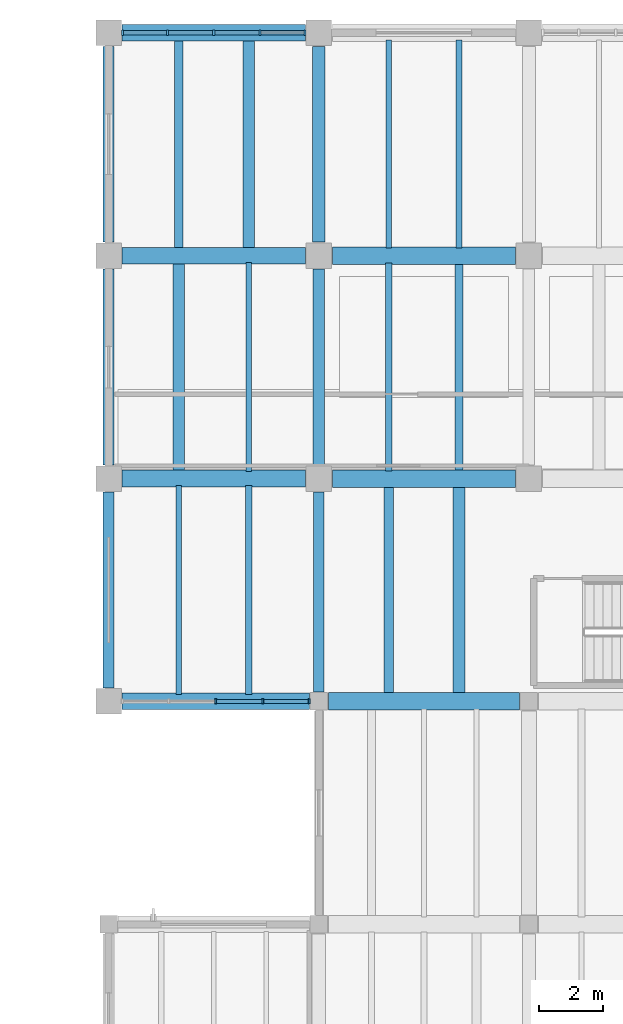
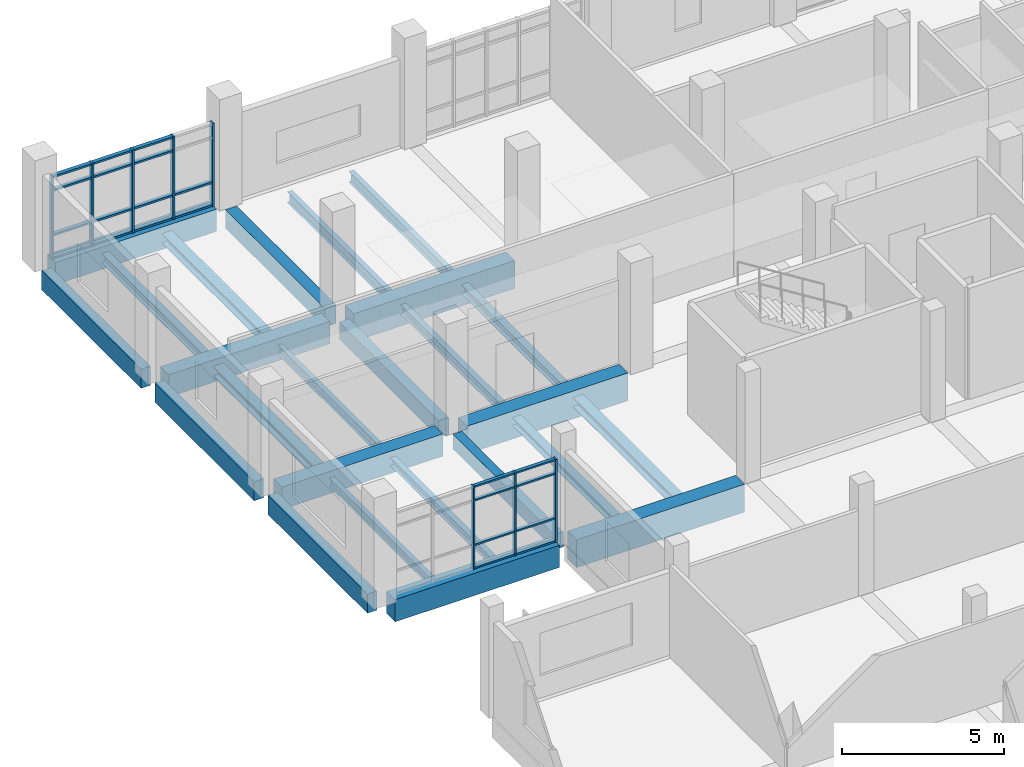
# One storey, part 25 of 67: 30 members, 25 beams, 2 elements without a shape of their own.
"""IFC4 building model written with IfcOpenShell, lengths in metres."""

from ifc_helpers import new_model, si_unit, direction, frame, origin, origin_2d, place, context, subcontext, project, spatial, rectangle, i_section, extrude, material, material_profile, profile_set, type_object, element, aggregate, save


model = new_model("IFC4")

# Units and contexts
model_context = context("Model", 3, precision=1e-05, world=origin(), true_north=direction((0.0, 1.0)))
body_context = subcontext(model_context, "Body", "Model", "MODEL_VIEW")
ifc_project = project(units=[si_unit("LENGTHUNIT", "METRE"), si_unit("AREAUNIT", "SQUARE_METRE"), si_unit("VOLUMEUNIT", "CUBIC_METRE"), si_unit("PLANEANGLEUNIT", "RADIAN"), si_unit("MASSUNIT", "GRAM", prefix="KILO")], contexts=[model_context])

# Site, building, storey
site_placement = place(None, origin())
site = spatial("IfcSite", under=ifc_project, at=site_placement, CompositionType="ELEMENT")
building_placement = place(site_placement, origin())
building = spatial("IfcBuilding", under=site, at=building_placement, Name="Ciguamira Faculty of Natural Sciences", CompositionType="ELEMENT")
storey_placement = place(building_placement, frame((0.0, 0.0, 8.39990234375)))
storey = spatial("IfcBuildingStorey", under=building, at=storey_placement, Name="L02", CompositionType="ELEMENT", Elevation=8.39990234375)

# Curtain wall, members
ifc_material_1 = material(Name="Anodized aluminium curtain wall", Category="aluminium")
curtain_wall_type_1 = type_object("IfcCurtainWallType", Name="CurtainWall_CW-10", PredefinedType="USERDEFINED", material=ifc_material_1)
curtain_wall_1_placement = place(storey_placement, origin())
curtain_wall_1 = element("IfcCurtainWall", 1, at=curtain_wall_1_placement, inside=storey, type_object=curtain_wall_type_1, Name="L02 unitised curtain wall 0070", ObjectType="UNITISED CURTAIN WALL", PredefinedType="USERDEFINED")
ifc_material_2 = material(Name="Anodized aluminium mullion", Category="aluminium")
ifc_material_profile_1 = material_profile(ifc_material_2, rectangle(XDim=0.06005859375, YDim=0.159912109375, at=origin_2d()), Name="ALU-MUL-60X160")
ifc_profile_set_1 = profile_set([ifc_material_profile_1], Name="Anodized aluminium mullion")
member_type_1 = type_object("IfcMemberType", Name="CWMullion_CWM-01", PredefinedType="MULLION", material=ifc_profile_set_1)
member_1_placement = place(storey_placement, frame((60.66259765625, 94.0, 0.0), z_axis=(0.0, 0.0, 1.0), x_axis=(1.0, 0.0, 0.0)))
member_1 = element("IfcMember", 2, at=member_1_placement, type_object=member_type_1, Name="CW-10 mullion 3", PredefinedType="MULLION", context=body_context, shape_type="SweptSolid", body=[
    extrude(rectangle(XDim=0.06005859375, YDim=0.159912109375, at=origin_2d()), origin(), (0.0, 0.0, 1.0), 3.135009765625),
])
member_2_placement = place(storey_placement, frame((62.143798828125, 94.0, 0.0), z_axis=(0.0, 0.0, 1.0), x_axis=(1.0, 0.0, 0.0)))
member_2 = element("IfcMember", 3, at=member_2_placement, type_object=member_type_1, Name="CW-10 mullion 4", PredefinedType="MULLION", context=body_context, shape_type="SweptSolid", body=[
    extrude(rectangle(XDim=0.06005859375, YDim=0.159912109375, at=origin_2d()), origin(), (0.0, 0.0, 1.0), 3.135009765625),
])
member_3_placement = place(storey_placement, frame((63.594970703125, 94.0, 0.0), z_axis=(0.0, 0.0, 1.0), x_axis=(1.0, 0.0, 0.0)))
member_3 = element("IfcMember", 4, at=member_3_placement, type_object=member_type_1, Name="CW-10 mullion 5", PredefinedType="MULLION", context=body_context, shape_type="SweptSolid", body=[
    extrude(rectangle(XDim=0.06005859375, YDim=0.159912109375, at=origin_2d()), origin(), (0.0, 0.0, 1.0), 3.135009765625),
])

curtain_wall_type_2 = type_object("IfcCurtainWallType", Name="CurtainWall_CW-11", PredefinedType="USERDEFINED", material=ifc_material_1)
curtain_wall_2_placement = place(storey_placement, origin())
curtain_wall_2 = element("IfcCurtainWall", 5, at=curtain_wall_2_placement, inside=storey, type_object=curtain_wall_type_2, Name="L02 unitised curtain wall 0071", ObjectType="UNITISED CURTAIN WALL", PredefinedType="USERDEFINED")
ifc_material_profile_2 = material_profile(ifc_material_2, rectangle(XDim=0.070068359375, YDim=0.179931640625, at=origin_2d()), Name="ALU-MUL-70X180")
ifc_profile_set_2 = profile_set([ifc_material_profile_2], Name="Anodized aluminium mullion")
member_type_2 = type_object("IfcMemberType", Name="CWMullion_CWM-02", PredefinedType="MULLION", material=ifc_profile_set_2)
member_4_placement = place(storey_placement, frame((57.735107421875, 115.0, 0.0), z_axis=(0.0, 0.0, 1.0), x_axis=(1.0, 0.0, 0.0)))
member_4 = element("IfcMember", 6, at=member_4_placement, type_object=member_type_2, Name="CW-11 mullion 1", PredefinedType="MULLION", context=body_context, shape_type="SweptSolid", body=[
    extrude(rectangle(XDim=0.070068359375, YDim=0.179931640625, at=origin_2d()), origin(), (0.0, 0.0, 1.0), 3.135009765625),
])
member_5_placement = place(storey_placement, frame((59.14990234375, 115.0, 0.0), z_axis=(0.0, 0.0, 1.0), x_axis=(1.0, 0.0, 0.0)))
member_5 = element("IfcMember", 7, at=member_5_placement, type_object=member_type_2, Name="CW-11 mullion 2", PredefinedType="MULLION", context=body_context, shape_type="SweptSolid", body=[
    extrude(rectangle(XDim=0.070068359375, YDim=0.179931640625, at=origin_2d()), origin(), (0.0, 0.0, 1.0), 3.135009765625),
])
member_6_placement = place(storey_placement, frame((60.60009765625, 115.0, 0.0), z_axis=(0.0, 0.0, 1.0), x_axis=(1.0, 0.0, 0.0)))
member_6 = element("IfcMember", 8, at=member_6_placement, type_object=member_type_2, Name="CW-11 mullion 3", PredefinedType="MULLION", context=body_context, shape_type="SweptSolid", body=[
    extrude(rectangle(XDim=0.070068359375, YDim=0.179931640625, at=origin_2d()), origin(), (0.0, 0.0, 1.0), 3.135009765625),
])
member_7_placement = place(storey_placement, frame((62.050048828125, 115.0, 0.0), z_axis=(0.0, 0.0, 1.0), x_axis=(1.0, 0.0, 0.0)))
member_7 = element("IfcMember", 9, at=member_7_placement, type_object=member_type_2, Name="CW-11 mullion 4", PredefinedType="MULLION", context=body_context, shape_type="SweptSolid", body=[
    extrude(rectangle(XDim=0.070068359375, YDim=0.179931640625, at=origin_2d()), origin(), (0.0, 0.0, 1.0), 3.135009765625),
])
member_8_placement = place(storey_placement, frame((63.465087890625, 115.0, 0.0), z_axis=(0.0, 0.0, 1.0), x_axis=(1.0, 0.0, 0.0)))
member_8 = element("IfcMember", 10, at=member_8_placement, type_object=member_type_2, Name="CW-11 mullion 5", PredefinedType="MULLION", context=body_context, shape_type="SweptSolid", body=[
    extrude(rectangle(XDim=0.070068359375, YDim=0.179931640625, at=origin_2d()), origin(), (0.0, 0.0, 1.0), 3.135009765625),
])

# Member
ifc_material_3 = material(Name="Anodized aluminium transom", Category="aluminium")
ifc_material_profile_3 = material_profile(ifc_material_3, rectangle(XDim=0.06005859375, YDim=0.1201171875, at=origin_2d()), Name="ALU-TRN-60X120")
ifc_profile_set_3 = profile_set([ifc_material_profile_3], Name="Anodized aluminium transom")
member_type_3 = type_object("IfcMemberType", Name="CWTransom_CWT-01", PredefinedType="USERDEFINED", material=ifc_profile_set_3)
member_9_placement = place(storey_placement, frame((60.6923828125, 94.0, 0.030029296875), z_axis=(1.0, 0.0, 0.0), x_axis=(0.0, 0.0, 1.0)))
member_9 = element("IfcMember", 11, at=member_9_placement, type_object=member_type_3, Name="CW-10 transom 3.1", ObjectType="TRANSOM", PredefinedType="USERDEFINED", context=body_context, shape_type="SweptSolid", body=[
    extrude(rectangle(XDim=0.06005859375, YDim=0.1201171875, at=origin_2d()), origin(), (0.0, 0.0, 1.0), 1.42138671875),
])

member_10_placement = place(storey_placement, frame((60.6923828125, 94.0, 0.900146484375), z_axis=(1.0, 0.0, 0.0), x_axis=(0.0, 0.0, 1.0)))
member_10 = element("IfcMember", 12, at=member_10_placement, type_object=member_type_3, Name="CW-10 transom 3.2", ObjectType="TRANSOM", PredefinedType="USERDEFINED", context=body_context, shape_type="SweptSolid", body=[
    extrude(rectangle(XDim=0.06005859375, YDim=0.1201171875, at=origin_2d()), origin(), (0.0, 0.0, 1.0), 1.42138671875),
])

member_11_placement = place(storey_placement, frame((60.6923828125, 94.0, 2.585205078125), z_axis=(1.0, 0.0, 0.0), x_axis=(0.0, 0.0, 1.0)))
member_11 = element("IfcMember", 13, at=member_11_placement, type_object=member_type_3, Name="CW-10 transom 3.3", ObjectType="TRANSOM", PredefinedType="USERDEFINED", context=body_context, shape_type="SweptSolid", body=[
    extrude(rectangle(XDim=0.06005859375, YDim=0.1201171875, at=origin_2d()), origin(), (0.0, 0.0, 1.0), 1.42138671875),
])

member_12_placement = place(storey_placement, frame((60.6923828125, 94.0, 3.10498046875), z_axis=(1.0, 0.0, 0.0), x_axis=(0.0, 0.0, 1.0)))
member_12 = element("IfcMember", 14, at=member_12_placement, type_object=member_type_3, Name="CW-10 transom 3.4", ObjectType="TRANSOM", PredefinedType="USERDEFINED", context=body_context, shape_type="SweptSolid", body=[
    extrude(rectangle(XDim=0.06005859375, YDim=0.1201171875, at=origin_2d()), origin(), (0.0, 0.0, 1.0), 1.42138671875),
])

member_13_placement = place(storey_placement, frame((62.173828125, 94.0, 0.030029296875), z_axis=(1.0, 0.0, 0.0), x_axis=(0.0, 0.0, 1.0)))
member_13 = element("IfcMember", 15, at=member_13_placement, type_object=member_type_3, Name="CW-10 transom 4.1", ObjectType="TRANSOM", PredefinedType="USERDEFINED", context=body_context, shape_type="SweptSolid", body=[
    extrude(rectangle(XDim=0.06005859375, YDim=0.1201171875, at=origin_2d()), origin(), (0.0, 0.0, 1.0), 1.39111328125),
])

member_14_placement = place(storey_placement, frame((62.173828125, 94.0, 0.900146484375), z_axis=(1.0, 0.0, 0.0), x_axis=(0.0, 0.0, 1.0)))
member_14 = element("IfcMember", 16, at=member_14_placement, type_object=member_type_3, Name="CW-10 transom 4.2", ObjectType="TRANSOM", PredefinedType="USERDEFINED", context=body_context, shape_type="SweptSolid", body=[
    extrude(rectangle(XDim=0.06005859375, YDim=0.1201171875, at=origin_2d()), origin(), (0.0, 0.0, 1.0), 1.39111328125),
])

member_15_placement = place(storey_placement, frame((62.173828125, 94.0, 2.585205078125), z_axis=(1.0, 0.0, 0.0), x_axis=(0.0, 0.0, 1.0)))
member_15 = element("IfcMember", 17, at=member_15_placement, type_object=member_type_3, Name="CW-10 transom 4.3", ObjectType="TRANSOM", PredefinedType="USERDEFINED", context=body_context, shape_type="SweptSolid", body=[
    extrude(rectangle(XDim=0.06005859375, YDim=0.1201171875, at=origin_2d()), origin(), (0.0, 0.0, 1.0), 1.39111328125),
])

member_16_placement = place(storey_placement, frame((62.173828125, 94.0, 3.10498046875), z_axis=(1.0, 0.0, 0.0), x_axis=(0.0, 0.0, 1.0)))
member_16 = element("IfcMember", 18, at=member_16_placement, type_object=member_type_3, Name="CW-10 transom 4.4", ObjectType="TRANSOM", PredefinedType="USERDEFINED", context=body_context, shape_type="SweptSolid", body=[
    extrude(rectangle(XDim=0.06005859375, YDim=0.1201171875, at=origin_2d()), origin(), (0.0, 0.0, 1.0), 1.39111328125),
])

aggregate(curtain_wall_1, [member_1, member_2, member_3, member_9, member_10, member_11, member_12, member_13, member_14, member_15, member_16])

ifc_material_profile_4 = material_profile(ifc_material_3, rectangle(XDim=0.070068359375, YDim=0.139892578125, at=origin_2d()), Name="ALU-TRN-70X140")
ifc_profile_set_4 = profile_set([ifc_material_profile_4], Name="Anodized aluminium transom")
member_type_4 = type_object("IfcMemberType", Name="CWTransom_CWT-02", PredefinedType="USERDEFINED", material=ifc_profile_set_4)
member_17_placement = place(storey_placement, frame((57.77001953125, 115.0, 0.03515625), z_axis=(1.0, 0.0, 0.0), x_axis=(0.0, 0.0, 1.0)))
member_17 = element("IfcMember", 19, at=member_17_placement, type_object=member_type_4, Name="CW-11 transom 1.1", ObjectType="TRANSOM", PredefinedType="USERDEFINED", context=body_context, shape_type="SweptSolid", body=[
    extrude(rectangle(XDim=0.070068359375, YDim=0.139892578125, at=origin_2d()), origin(), (0.0, 0.0, 1.0), 1.344970703125),
])

member_18_placement = place(storey_placement, frame((57.77001953125, 115.0, 0.900146484375), z_axis=(1.0, 0.0, 0.0), x_axis=(0.0, 0.0, 1.0)))
member_18 = element("IfcMember", 20, at=member_18_placement, type_object=member_type_4, Name="CW-11 transom 1.2", ObjectType="TRANSOM", PredefinedType="USERDEFINED", context=body_context, shape_type="SweptSolid", body=[
    extrude(rectangle(XDim=0.070068359375, YDim=0.139892578125, at=origin_2d()), origin(), (0.0, 0.0, 1.0), 1.344970703125),
])

member_19_placement = place(storey_placement, frame((57.77001953125, 115.0, 2.585205078125), z_axis=(1.0, 0.0, 0.0), x_axis=(0.0, 0.0, 1.0)))
member_19 = element("IfcMember", 21, at=member_19_placement, type_object=member_type_4, Name="CW-11 transom 1.3", ObjectType="TRANSOM", PredefinedType="USERDEFINED", context=body_context, shape_type="SweptSolid", body=[
    extrude(rectangle(XDim=0.070068359375, YDim=0.139892578125, at=origin_2d()), origin(), (0.0, 0.0, 1.0), 1.344970703125),
])

member_20_placement = place(storey_placement, frame((57.77001953125, 115.0, 3.10009765625), z_axis=(1.0, 0.0, 0.0), x_axis=(0.0, 0.0, 1.0)))
member_20 = element("IfcMember", 22, at=member_20_placement, type_object=member_type_4, Name="CW-11 transom 1.4", ObjectType="TRANSOM", PredefinedType="USERDEFINED", context=body_context, shape_type="SweptSolid", body=[
    extrude(rectangle(XDim=0.070068359375, YDim=0.139892578125, at=origin_2d()), origin(), (0.0, 0.0, 1.0), 1.344970703125),
])

member_21_placement = place(storey_placement, frame((59.18505859375, 115.0, 0.03515625), z_axis=(1.0, 0.0, 0.0), x_axis=(0.0, 0.0, 1.0)))
member_21 = element("IfcMember", 23, at=member_21_placement, type_object=member_type_4, Name="CW-11 transom 2.1", ObjectType="TRANSOM", PredefinedType="USERDEFINED", context=body_context, shape_type="SweptSolid", body=[
    extrude(rectangle(XDim=0.070068359375, YDim=0.139892578125, at=origin_2d()), origin(), (0.0, 0.0, 1.0), 1.3798828125),
])

member_22_placement = place(storey_placement, frame((59.18505859375, 115.0, 0.900146484375), z_axis=(1.0, 0.0, 0.0), x_axis=(0.0, 0.0, 1.0)))
member_22 = element("IfcMember", 24, at=member_22_placement, type_object=member_type_4, Name="CW-11 transom 2.2", ObjectType="TRANSOM", PredefinedType="USERDEFINED", context=body_context, shape_type="SweptSolid", body=[
    extrude(rectangle(XDim=0.070068359375, YDim=0.139892578125, at=origin_2d()), origin(), (0.0, 0.0, 1.0), 1.3798828125),
])

member_23_placement = place(storey_placement, frame((59.18505859375, 115.0, 2.585205078125), z_axis=(1.0, 0.0, 0.0), x_axis=(0.0, 0.0, 1.0)))
member_23 = element("IfcMember", 25, at=member_23_placement, type_object=member_type_4, Name="CW-11 transom 2.3", ObjectType="TRANSOM", PredefinedType="USERDEFINED", context=body_context, shape_type="SweptSolid", body=[
    extrude(rectangle(XDim=0.070068359375, YDim=0.139892578125, at=origin_2d()), origin(), (0.0, 0.0, 1.0), 1.3798828125),
])

member_24_placement = place(storey_placement, frame((59.18505859375, 115.0, 3.10009765625), z_axis=(1.0, 0.0, 0.0), x_axis=(0.0, 0.0, 1.0)))
member_24 = element("IfcMember", 26, at=member_24_placement, type_object=member_type_4, Name="CW-11 transom 2.4", ObjectType="TRANSOM", PredefinedType="USERDEFINED", context=body_context, shape_type="SweptSolid", body=[
    extrude(rectangle(XDim=0.070068359375, YDim=0.139892578125, at=origin_2d()), origin(), (0.0, 0.0, 1.0), 1.3798828125),
])

member_25_placement = place(storey_placement, frame((60.635009765625, 115.0, 0.03515625), z_axis=(1.0, 0.0, 0.0), x_axis=(0.0, 0.0, 1.0)))
member_25 = element("IfcMember", 27, at=member_25_placement, type_object=member_type_4, Name="CW-11 transom 3.1", ObjectType="TRANSOM", PredefinedType="USERDEFINED", context=body_context, shape_type="SweptSolid", body=[
    extrude(rectangle(XDim=0.070068359375, YDim=0.139892578125, at=origin_2d()), origin(), (0.0, 0.0, 1.0), 1.3798828125),
])

member_26_placement = place(storey_placement, frame((60.635009765625, 115.0, 0.900146484375), z_axis=(1.0, 0.0, 0.0), x_axis=(0.0, 0.0, 1.0)))
member_26 = element("IfcMember", 28, at=member_26_placement, type_object=member_type_4, Name="CW-11 transom 3.2", ObjectType="TRANSOM", PredefinedType="USERDEFINED", context=body_context, shape_type="SweptSolid", body=[
    extrude(rectangle(XDim=0.070068359375, YDim=0.139892578125, at=origin_2d()), origin(), (0.0, 0.0, 1.0), 1.3798828125),
])

member_27_placement = place(storey_placement, frame((60.635009765625, 115.0, 2.585205078125), z_axis=(1.0, 0.0, 0.0), x_axis=(0.0, 0.0, 1.0)))
member_27 = element("IfcMember", 29, at=member_27_placement, type_object=member_type_4, Name="CW-11 transom 3.3", ObjectType="TRANSOM", PredefinedType="USERDEFINED", context=body_context, shape_type="SweptSolid", body=[
    extrude(rectangle(XDim=0.070068359375, YDim=0.139892578125, at=origin_2d()), origin(), (0.0, 0.0, 1.0), 1.3798828125),
])

member_28_placement = place(storey_placement, frame((60.635009765625, 115.0, 3.10009765625), z_axis=(1.0, 0.0, 0.0), x_axis=(0.0, 0.0, 1.0)))
member_28 = element("IfcMember", 30, at=member_28_placement, type_object=member_type_4, Name="CW-11 transom 3.4", ObjectType="TRANSOM", PredefinedType="USERDEFINED", context=body_context, shape_type="SweptSolid", body=[
    extrude(rectangle(XDim=0.070068359375, YDim=0.139892578125, at=origin_2d()), origin(), (0.0, 0.0, 1.0), 1.3798828125),
])

member_29_placement = place(storey_placement, frame((62.0849609375, 115.0, 0.03515625), z_axis=(1.0, 0.0, 0.0), x_axis=(0.0, 0.0, 1.0)))
member_29 = element("IfcMember", 31, at=member_29_placement, type_object=member_type_4, Name="CW-11 transom 4.1", ObjectType="TRANSOM", PredefinedType="USERDEFINED", context=body_context, shape_type="SweptSolid", body=[
    extrude(rectangle(XDim=0.070068359375, YDim=0.139892578125, at=origin_2d()), origin(), (0.0, 0.0, 1.0), 1.344970703125),
])

member_30_placement = place(storey_placement, frame((62.0849609375, 115.0, 0.900146484375), z_axis=(1.0, 0.0, 0.0), x_axis=(0.0, 0.0, 1.0)))
member_30 = element("IfcMember", 32, at=member_30_placement, type_object=member_type_4, Name="CW-11 transom 4.2", ObjectType="TRANSOM", PredefinedType="USERDEFINED", context=body_context, shape_type="SweptSolid", body=[
    extrude(rectangle(XDim=0.070068359375, YDim=0.139892578125, at=origin_2d()), origin(), (0.0, 0.0, 1.0), 1.344970703125),
])

aggregate(curtain_wall_2, [member_4, member_5, member_6, member_7, member_8, member_17, member_18, member_19, member_20, member_21, member_22, member_23, member_24, member_25, member_26, member_27, member_28, member_29, member_30])

# Beams
ifc_material_4 = material(Name="Concrete C40/50", Category="concrete")
ifc_material_profile_5 = material_profile(ifc_material_4, rectangle(XDim=0.550048828125, YDim=1.050048828125, at=origin_2d()), Name="RC-BM-550X1050")
ifc_profile_set_5 = profile_set([ifc_material_profile_5], Name="Concrete C40/50")
beam_type_1 = type_object("IfcBeamType", Name="RCBeam_BG-01_RC-BM-550X1050", PredefinedType="BEAM", material=ifc_profile_set_5)
beam_1_placement = place(storey_placement, frame((64.199951171875, 94.0, -0.52490234375), z_axis=(1.0, 0.0, 0.0), x_axis=(0.0, 1.0, 0.0)))
element("IfcBeam", 33, at=beam_1_placement, inside=storey, type_object=beam_type_1, Name="L02 RC girder EW-0840", PredefinedType="BEAM", context=body_context, shape_type="SweptSolid", body=[
    extrude(rectangle(XDim=0.550048828125, YDim=1.050048828125, at=origin_2d()), origin(), (0.0, 0.0, 1.0), 6.0),
])
for number, where, z_axis, x_axis, name in (
    (34, (64.324951171875, 101.0, -0.52490234375), (1.0, 0.0, 0.0), (0.0, 1.0, 0.0), "L02 RC girder EW-0849"),
    (35, (64.324951171875, 108.0, -0.52490234375), (1.0, 0.0, 0.0), (0.0, 1.0, 0.0), "L02 RC girder EW-0858"),
):
    element("IfcBeam", number, at=place(storey_placement, frame(where, z_axis=z_axis, x_axis=x_axis)), inside=storey, type_object=beam_type_1, Name=name, PredefinedType="BEAM", context=body_context, shape_type="SweptSolid", body=[
        extrude(rectangle(XDim=0.550048828125, YDim=1.050048828125, at=origin_2d()), origin(), (0.0, 0.0, 1.0), 5.75),
    ])
ifc_material_profile_6 = material_profile(ifc_material_4, rectangle(XDim=0.39990234375, YDim=0.699951171875, at=origin_2d()), Name="RC-BM-400X700")
ifc_profile_set_6 = profile_set([ifc_material_profile_6], Name="Concrete C40/50")
beam_type_2 = type_object("IfcBeamType", Name="RCBeam_BG-08_RC-BM-400X700", PredefinedType="BEAM", material=ifc_profile_set_6)
beam_2_placement = place(storey_placement, frame((63.89990234375, 108.425048828125, -0.349853515625), z_axis=(0.0, 1.0, 0.0), x_axis=(-1.0, 0.0, 0.0)))
element("IfcBeam", 36, at=beam_2_placement, inside=storey, type_object=beam_type_2, Name="L02 girder NS-0920", PredefinedType="BEAM", context=body_context, shape_type="SweptSolid", body=[
    extrude(rectangle(XDim=0.39990234375, YDim=0.699951171875, at=origin_2d()), origin(), (0.0, 0.0, 1.0), 6.14990234375),
])
ifc_material_profile_7 = material_profile(ifc_material_4, rectangle(XDim=0.360107421875, YDim=0.639892578125, at=origin_2d()), Name="RC-BM-360X640")
ifc_profile_set_7 = profile_set([ifc_material_profile_7], Name="Concrete C40/50")
beam_type_3 = type_object("IfcBeamType", Name="RCBeam_BG-10_RC-BM-360X640", PredefinedType="BEAM", material=ifc_profile_set_7)
beam_3_placement = place(storey_placement, frame((63.89990234375, 101.425048828125, -0.31982421875), z_axis=(0.0, 1.0, 0.0), x_axis=(-1.0, 0.0, 0.0)))
element("IfcBeam", 37, at=beam_3_placement, inside=storey, type_object=beam_type_3, Name="L02 girder NS-0919", PredefinedType="BEAM", context=body_context, shape_type="SweptSolid", body=[
    extrude(rectangle(XDim=0.360107421875, YDim=0.639892578125, at=origin_2d()), origin(), (0.0, 0.0, 1.0), 6.14990234375),
])
ifc_material_profile_8 = material_profile(ifc_material_4, rectangle(XDim=0.320068359375, YDim=0.56005859375, at=origin_2d()), Name="RC-BM-320X560")
ifc_profile_set_8 = profile_set([ifc_material_profile_8], Name="Concrete C40/50")
beam_type_4 = type_object("IfcBeamType", Name="RCBeam_BG-12_RC-BM-320X560", PredefinedType="BEAM", material=ifc_profile_set_8)
beam_4_placement = place(storey_placement, frame((63.89990234375, 94.300048828125, -0.27978515625), z_axis=(0.0, 1.0, 0.0), x_axis=(-1.0, 0.0, 0.0)))
element("IfcBeam", 38, at=beam_4_placement, inside=storey, type_object=beam_type_4, Name="L02 girder NS-0918", PredefinedType="BEAM", context=body_context, shape_type="SweptSolid", body=[
    extrude(rectangle(XDim=0.320068359375, YDim=0.56005859375, at=origin_2d()), origin(), (0.0, 0.0, 1.0), 6.27490234375),
])
ifc_material_5 = material(Name="Precast concrete C40/50", Category="concrete")
ifc_material_profile_9 = material_profile(ifc_material_5, rectangle(XDim=0.340087890625, YDim=0.719970703125, at=origin_2d()), Name="RC-SP-340X720")
ifc_profile_set_9 = profile_set([ifc_material_profile_9], Name="Precast concrete C40/50")
beam_type_5 = type_object("IfcBeamType", Name="RCBeam_SP-03_RC-SP-340X720", PredefinedType="SPANDREL", material=ifc_profile_set_9)
for number, where, z_axis, x_axis, name in (
    (39, (57.300048828125, 94.425048828125, -0.35986328125), (0.0, 1.0, 0.0), (-1.0, 0.0, 0.0), "L02 girder NS-0905"),
    (40, (57.300048828125, 101.425048828125, -0.35986328125), (0.0, 1.0, 0.0), (-1.0, 0.0, 0.0), "L02 girder NS-0906"),
    (41, (57.300048828125, 108.425048828125, -0.35986328125), (0.0, 1.0, 0.0), (-1.0, 0.0, 0.0), "L02 girder NS-0907"),
):
    element("IfcBeam", number, at=place(storey_placement, frame(where, z_axis=z_axis, x_axis=x_axis)), inside=storey, type_object=beam_type_5, Name=name, PredefinedType="SPANDREL", context=body_context, shape_type="SweptSolid", body=[
        extrude(rectangle(XDim=0.340087890625, YDim=0.719970703125, at=origin_2d()), origin(), (0.0, 0.0, 1.0), 6.14990234375),
    ])
ifc_material_profile_10 = material_profile(ifc_material_4, rectangle(XDim=0.52001953125, YDim=0.840087890625, at=origin_2d()), Name="RC-TB-520X840")
ifc_profile_set_10 = profile_set([ifc_material_profile_10], Name="Concrete C40/50")
beam_type_6 = type_object("IfcBeamType", Name="RCBeam_TB-02_RC-TB-520X840", PredefinedType="T_BEAM", material=ifc_profile_set_10)
beam_5_placement = place(storey_placement, frame((57.72509765625, 94.0, -0.419921875), z_axis=(1.0, 0.0, 0.0), x_axis=(0.0, 1.0, 0.0)))
element("IfcBeam", 42, at=beam_5_placement, inside=storey, type_object=beam_type_6, Name="L02 RC girder EW-0839", PredefinedType="T_BEAM", context=body_context, shape_type="SweptSolid", body=[
    extrude(rectangle(XDim=0.52001953125, YDim=0.840087890625, at=origin_2d()), origin(), (0.0, 0.0, 1.0), 5.875),
])
for number, where, z_axis, x_axis, name in (
    (43, (57.72509765625, 101.0, -0.419921875), (1.0, 0.0, 0.0), (0.0, 1.0, 0.0), "L02 RC girder EW-0848"),
    (44, (57.72509765625, 108.0, -0.419921875), (1.0, 0.0, 0.0), (0.0, 1.0, 0.0), "L02 RC girder EW-0857"),
    (45, (57.72509765625, 115.0, -0.419921875), (1.0, 0.0, 0.0), (0.0, 1.0, 0.0), "L02 RC girder EW-0866"),
):
    element("IfcBeam", number, at=place(storey_placement, frame(where, z_axis=z_axis, x_axis=x_axis)), inside=storey, type_object=beam_type_6, Name=name, PredefinedType="T_BEAM", context=body_context, shape_type="SweptSolid", body=[
        extrude(rectangle(XDim=0.52001953125, YDim=0.840087890625, at=origin_2d()), origin(), (0.0, 0.0, 1.0), 5.75),
    ])
ifc_material_6 = material(Name="Steel ASTM A992 Grade 50", Category="steel")
ifc_material_profile_11 = material_profile(ifc_material_6, i_section(OverallWidth=0.16650390625, OverallDepth=0.3173828125, WebThickness=0.007568359375, FlangeThickness=0.01318359375, at=origin_2d()), Name="W12X35")
ifc_profile_set_11 = profile_set([ifc_material_profile_11], Name="Steel ASTM A992 Grade 50")
beam_type_7 = type_object("IfcBeamType", Name="SteelJoist_SJ-05_W12X35", PredefinedType="JOIST", material=ifc_profile_set_11)
beam_6_placement = place(storey_placement, frame((59.5, 94.219970703125, -0.398681640625), z_axis=(0.0, 1.0, 0.0), x_axis=(-1.0, 0.0, 0.0)))
element("IfcBeam", 46, at=beam_6_placement, inside=storey, type_object=beam_type_7, Name="L02 composite steel joist 00730", PredefinedType="JOIST", context=body_context, shape_type="SweptSolid", body=[
    extrude(i_section(OverallWidth=0.16650390625, OverallDepth=0.3173828125, WebThickness=0.007568359375, FlangeThickness=0.01318359375, at=origin_2d()), origin(), (0.0, 0.0, 1.0), 6.56005859375),
])
ifc_material_profile_12 = material_profile(ifc_material_6, i_section(OverallWidth=0.20458984375, OverallDepth=0.307373046875, WebThickness=0.008544921875, FlangeThickness=0.0146484375, at=origin_2d()), Name="W12X45")
ifc_profile_set_12 = profile_set([ifc_material_profile_12], Name="Steel ASTM A992 Grade 50")
beam_type_8 = type_object("IfcBeamType", Name="SteelJoist_SJ-06_W12X45", PredefinedType="JOIST", material=ifc_profile_set_12)
beam_7_placement = place(storey_placement, frame((61.699951171875, 94.219970703125, -0.3935546875), z_axis=(0.0, 1.0, 0.0), x_axis=(-1.0, 0.0, 0.0)))
element("IfcBeam", 47, at=beam_7_placement, inside=storey, type_object=beam_type_8, Name="L02 composite steel joist 00731", PredefinedType="JOIST", context=body_context, shape_type="SweptSolid", body=[
    extrude(i_section(OverallWidth=0.20458984375, OverallDepth=0.307373046875, WebThickness=0.008544921875, FlangeThickness=0.0146484375, at=origin_2d()), origin(), (0.0, 0.0, 1.0), 6.56005859375),
])
ifc_material_profile_13 = material_profile(ifc_material_6, i_section(OverallWidth=0.3046875, OverallDepth=0.307373046875, WebThickness=0.010009765625, FlangeThickness=0.015380859375, at=origin_2d()), Name="W12X65")
ifc_profile_set_13 = profile_set([ifc_material_profile_13], Name="Steel ASTM A992 Grade 50")
beam_type_9 = type_object("IfcBeamType", Name="SteelJoist_SJ-08_W12X65", PredefinedType="JOIST", material=ifc_profile_set_13)
beam_8_placement = place(storey_placement, frame((66.10009765625, 94.235107421875, -0.3935546875), z_axis=(0.0, 1.0, 0.0), x_axis=(-1.0, 0.0, 0.0)))
element("IfcBeam", 48, at=beam_8_placement, inside=storey, type_object=beam_type_9, Name="L02 composite steel joist 00759", PredefinedType="JOIST", context=body_context, shape_type="SweptSolid", body=[
    extrude(i_section(OverallWidth=0.3046875, OverallDepth=0.307373046875, WebThickness=0.010009765625, FlangeThickness=0.015380859375, at=origin_2d()), origin(), (0.0, 0.0, 1.0), 6.52978515625),
])
ifc_material_profile_14 = material_profile(ifc_material_6, i_section(OverallWidth=0.370849609375, OverallDepth=0.36328125, WebThickness=0.013427734375, FlangeThickness=0.021728515625, at=origin_2d()), Name="W14X109")
ifc_profile_set_14 = profile_set([ifc_material_profile_14], Name="Steel ASTM A992 Grade 50")
beam_type_10 = type_object("IfcBeamType", Name="SteelJoist_SJ-09_W14X109", PredefinedType="JOIST", material=ifc_profile_set_14)
beam_9_placement = place(storey_placement, frame((68.300048828125, 94.235107421875, -0.42138671875), z_axis=(0.0, 1.0, 0.0), x_axis=(-1.0, 0.0, 0.0)))
element("IfcBeam", 49, at=beam_9_placement, inside=storey, type_object=beam_type_10, Name="L02 composite steel joist 00760", PredefinedType="JOIST", context=body_context, shape_type="SweptSolid", body=[
    extrude(i_section(OverallWidth=0.370849609375, OverallDepth=0.36328125, WebThickness=0.013427734375, FlangeThickness=0.021728515625, at=origin_2d()), origin(), (0.0, 0.0, 1.0), 6.52978515625),
])
ifc_material_profile_15 = material_profile(ifc_material_6, i_section(OverallWidth=0.373291015625, OverallDepth=0.373291015625, WebThickness=0.016357421875, FlangeThickness=0.026123046875, at=origin_2d()), Name="W14X132")
ifc_profile_set_15 = profile_set([ifc_material_profile_15], Name="Steel ASTM A992 Grade 50")
beam_type_11 = type_object("IfcBeamType", Name="SteelJoist_SJ-10_W14X132", PredefinedType="JOIST", material=ifc_profile_set_15)
beam_10_placement = place(storey_placement, frame((59.5, 101.219970703125, -0.426513671875), z_axis=(0.0, 1.0, 0.0), x_axis=(-1.0, 0.0, 0.0)))
element("IfcBeam", 50, at=beam_10_placement, inside=storey, type_object=beam_type_11, Name="L02 composite steel joist 00732", PredefinedType="JOIST", context=body_context, shape_type="SweptSolid", body=[
    extrude(i_section(OverallWidth=0.373291015625, OverallDepth=0.373291015625, WebThickness=0.016357421875, FlangeThickness=0.026123046875, at=origin_2d()), origin(), (0.0, 0.0, 1.0), 6.56005859375),
])
ifc_material_profile_16 = material_profile(ifc_material_6, i_section(OverallWidth=0.1708984375, OverallDepth=0.3505859375, WebThickness=0.0068359375, FlangeThickness=0.009765625, at=origin_2d()), Name="W14X30")
ifc_profile_set_16 = profile_set([ifc_material_profile_16], Name="Steel ASTM A992 Grade 50")
beam_type_12 = type_object("IfcBeamType", Name="SteelJoist_SJ-11_W14X30", PredefinedType="JOIST", material=ifc_profile_set_16)
beam_11_placement = place(storey_placement, frame((61.699951171875, 101.219970703125, -0.415283203125), z_axis=(0.0, 1.0, 0.0), x_axis=(-1.0, 0.0, 0.0)))
element("IfcBeam", 51, at=beam_11_placement, inside=storey, type_object=beam_type_12, Name="L02 composite steel joist 00733", PredefinedType="JOIST", context=body_context, shape_type="SweptSolid", body=[
    extrude(i_section(OverallWidth=0.1708984375, OverallDepth=0.3505859375, WebThickness=0.0068359375, FlangeThickness=0.009765625, at=origin_2d()), origin(), (0.0, 0.0, 1.0), 6.56005859375),
])
ifc_material_profile_17 = material_profile(ifc_material_6, i_section(OverallWidth=0.204833984375, OverallDepth=0.35302734375, WebThickness=0.00927734375, FlangeThickness=0.016845703125, at=origin_2d()), Name="W14X53")
ifc_profile_set_17 = profile_set([ifc_material_profile_17], Name="Steel ASTM A992 Grade 50")
beam_type_13 = type_object("IfcBeamType", Name="SteelJoist_SJ-13_W14X53", PredefinedType="JOIST", material=ifc_profile_set_17)
beam_12_placement = place(storey_placement, frame((66.10009765625, 101.235107421875, -0.41650390625), z_axis=(0.0, 1.0, 0.0), x_axis=(-1.0, 0.0, 0.0)))
element("IfcBeam", 52, at=beam_12_placement, inside=storey, type_object=beam_type_13, Name="L02 composite steel joist 00761", PredefinedType="JOIST", context=body_context, shape_type="SweptSolid", body=[
    extrude(i_section(OverallWidth=0.204833984375, OverallDepth=0.35302734375, WebThickness=0.00927734375, FlangeThickness=0.016845703125, at=origin_2d()), origin(), (0.0, 0.0, 1.0), 6.52978515625),
])
ifc_material_profile_18 = material_profile(ifc_material_6, i_section(OverallWidth=0.25390625, OverallDepth=0.355712890625, WebThickness=0.010498046875, FlangeThickness=0.018310546875, at=origin_2d()), Name="W14X68")
ifc_profile_set_18 = profile_set([ifc_material_profile_18], Name="Steel ASTM A992 Grade 50")
beam_type_14 = type_object("IfcBeamType", Name="SteelJoist_SJ-14_W14X68", PredefinedType="JOIST", material=ifc_profile_set_18)
beam_13_placement = place(storey_placement, frame((68.300048828125, 101.235107421875, -0.417724609375), z_axis=(0.0, 1.0, 0.0), x_axis=(-1.0, 0.0, 0.0)))
element("IfcBeam", 53, at=beam_13_placement, inside=storey, type_object=beam_type_14, Name="L02 composite steel joist 00762", PredefinedType="JOIST", context=body_context, shape_type="SweptSolid", body=[
    extrude(i_section(OverallWidth=0.25390625, OverallDepth=0.355712890625, WebThickness=0.010498046875, FlangeThickness=0.018310546875, at=origin_2d()), origin(), (0.0, 0.0, 1.0), 6.52978515625),
])
ifc_material_profile_19 = material_profile(ifc_material_6, i_section(OverallWidth=0.256591796875, OverallDepth=0.36328125, WebThickness=0.012939453125, FlangeThickness=0.021728515625, at=origin_2d()), Name="W14X82")
ifc_profile_set_19 = profile_set([ifc_material_profile_19], Name="Steel ASTM A992 Grade 50")
beam_type_15 = type_object("IfcBeamType", Name="SteelJoist_SJ-15_W14X82", PredefinedType="JOIST", material=ifc_profile_set_19)
beam_14_placement = place(storey_placement, frame((59.5, 108.219970703125, -0.42138671875), z_axis=(0.0, 1.0, 0.0), x_axis=(-1.0, 0.0, 0.0)))
element("IfcBeam", 54, at=beam_14_placement, inside=storey, type_object=beam_type_15, Name="L02 composite steel joist 00734", PredefinedType="JOIST", context=body_context, shape_type="SweptSolid", body=[
    extrude(i_section(OverallWidth=0.256591796875, OverallDepth=0.36328125, WebThickness=0.012939453125, FlangeThickness=0.021728515625, at=origin_2d()), origin(), (0.0, 0.0, 1.0), 6.56005859375),
])
ifc_material_profile_20 = material_profile(ifc_material_6, i_section(OverallWidth=0.368408203125, OverallDepth=0.355712890625, WebThickness=0.01123046875, FlangeThickness=0.01806640625, at=origin_2d()), Name="W14X90")
ifc_profile_set_20 = profile_set([ifc_material_profile_20], Name="Steel ASTM A992 Grade 50")
beam_type_16 = type_object("IfcBeamType", Name="SteelJoist_SJ-16_W14X90", PredefinedType="JOIST", material=ifc_profile_set_20)
beam_15_placement = place(storey_placement, frame((61.699951171875, 108.219970703125, -0.417724609375), z_axis=(0.0, 1.0, 0.0), x_axis=(-1.0, 0.0, 0.0)))
element("IfcBeam", 55, at=beam_15_placement, inside=storey, type_object=beam_type_16, Name="L02 composite steel joist 00735", PredefinedType="JOIST", context=body_context, shape_type="SweptSolid", body=[
    extrude(i_section(OverallWidth=0.368408203125, OverallDepth=0.355712890625, WebThickness=0.01123046875, FlangeThickness=0.01806640625, at=origin_2d()), origin(), (0.0, 0.0, 1.0), 6.56005859375),
])
ifc_material_profile_21 = material_profile(ifc_material_6, i_section(OverallWidth=0.177490234375, OverallDepth=0.40380859375, WebThickness=0.007568359375, FlangeThickness=0.010986328125, at=origin_2d()), Name="W16X36")
ifc_profile_set_21 = profile_set([ifc_material_profile_21], Name="Steel ASTM A992 Grade 50")
beam_type_17 = type_object("IfcBeamType", Name="SteelJoist_SJ-18_W16X36", PredefinedType="JOIST", material=ifc_profile_set_21)
beam_16_placement = place(storey_placement, frame((66.10009765625, 108.235107421875, -0.44189453125), z_axis=(0.0, 1.0, 0.0), x_axis=(-1.0, 0.0, 0.0)))
element("IfcBeam", 56, at=beam_16_placement, inside=storey, type_object=beam_type_17, Name="L02 composite steel joist 00763", PredefinedType="JOIST", context=body_context, shape_type="SweptSolid", body=[
    extrude(i_section(OverallWidth=0.177490234375, OverallDepth=0.40380859375, WebThickness=0.007568359375, FlangeThickness=0.010986328125, at=origin_2d()), origin(), (0.0, 0.0, 1.0), 6.52978515625),
])
ifc_material_profile_22 = material_profile(ifc_material_6, i_section(OverallWidth=0.1787109375, OverallDepth=0.408935546875, WebThickness=0.0087890625, FlangeThickness=0.014404296875, at=origin_2d()), Name="W16X45")
ifc_profile_set_22 = profile_set([ifc_material_profile_22], Name="Steel ASTM A992 Grade 50")
beam_type_18 = type_object("IfcBeamType", Name="SteelJoist_SJ-19_W16X45", PredefinedType="JOIST", material=ifc_profile_set_22)
beam_17_placement = place(storey_placement, frame((68.300048828125, 108.235107421875, -0.4443359375), z_axis=(0.0, 1.0, 0.0), x_axis=(-1.0, 0.0, 0.0)))
element("IfcBeam", 57, at=beam_17_placement, inside=storey, type_object=beam_type_18, Name="L02 composite steel joist 00764", PredefinedType="JOIST", context=body_context, shape_type="SweptSolid", body=[
    extrude(i_section(OverallWidth=0.1787109375, OverallDepth=0.408935546875, WebThickness=0.0087890625, FlangeThickness=0.014404296875, at=origin_2d()), origin(), (0.0, 0.0, 1.0), 6.52978515625),
])

save(model, "model.ifc")
